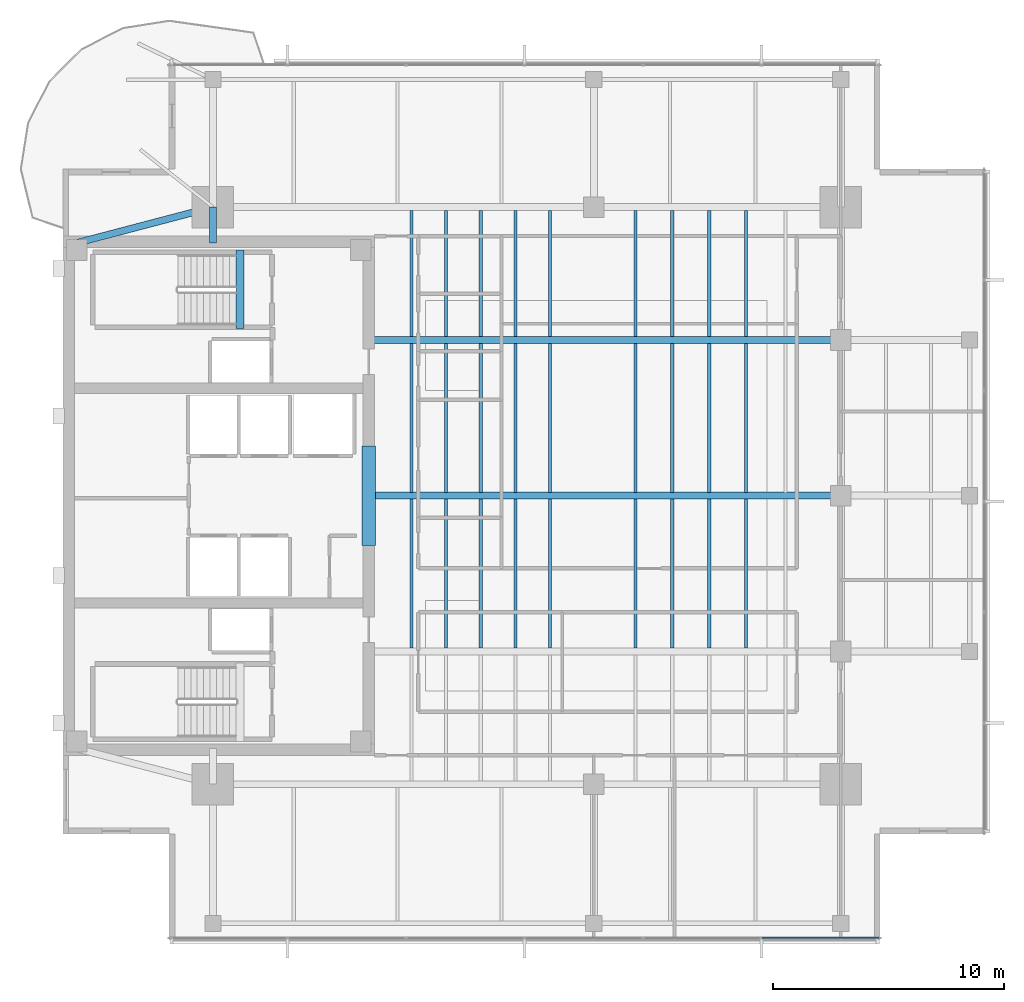
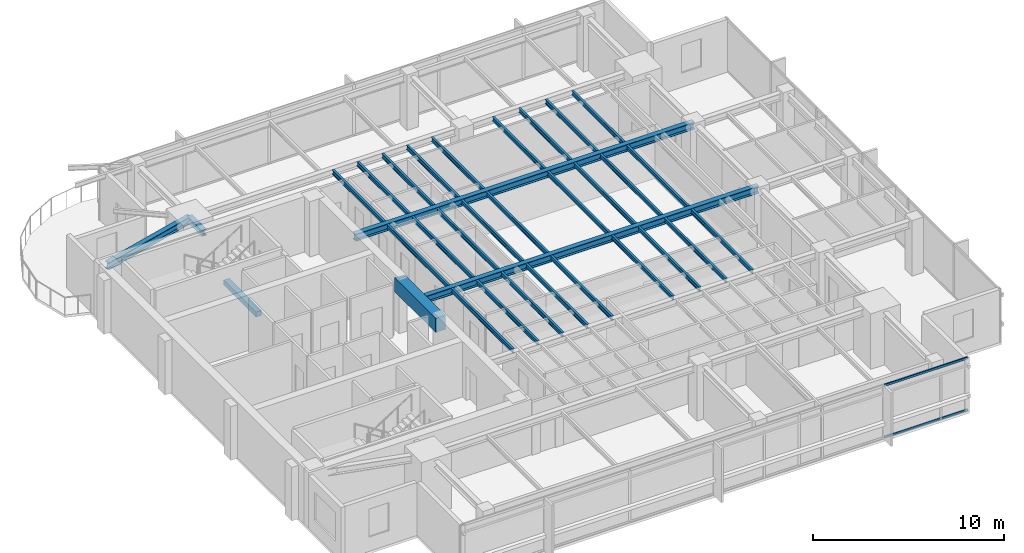
# One storey, part 3 of 14: 33 beams, 2 members, 1 element without a shape of its own.
"""IFC4 building model written with IfcOpenShell, lengths in metres."""

from ifc_helpers import new_model, si_unit, direction, frame, origin, origin_2d, place, context, subcontext, project, spatial, rectangle, i_section, extrude, material, layer, layer_set, material_profile, profile_set, type_object, element, aggregate, save


model = new_model("IFC4")

# Units and contexts
model_context = context("Model", 3, precision=1e-05, world=origin(), true_north=direction((0.0, 1.0)))
body_context = subcontext(model_context, "Body", "Model", "MODEL_VIEW")
ifc_project = project(units=[si_unit("LENGTHUNIT", "METRE"), si_unit("AREAUNIT", "SQUARE_METRE"), si_unit("VOLUMEUNIT", "CUBIC_METRE"), si_unit("PLANEANGLEUNIT", "RADIAN"), si_unit("MASSUNIT", "GRAM", prefix="KILO")], contexts=[model_context])

# Site, building, storey
site_placement = place(None, origin())
site = spatial("IfcSite", under=ifc_project, at=site_placement, CompositionType="ELEMENT")
building_placement = place(site_placement, origin())
building = spatial("IfcBuilding", under=site, at=building_placement, Name="Kinhvarn Gate Tower", CompositionType="ELEMENT")
storey_placement = place(building_placement, frame((0.0, 0.0, 274.10009765625)))
storey = spatial("IfcBuildingStorey", under=building, at=storey_placement, Name="L73", CompositionType="ELEMENT", Elevation=274.10009765625)

# Beams
ifc_material_1 = material(Name="Concrete C60/75", Category="concrete")
ifc_material_profile_1 = material_profile(ifc_material_1, rectangle(XDim=0.60009765625, YDim=0.89990234375, at=origin_2d()), Name="RC 600x900")
ifc_profile_set_1 = profile_set([ifc_material_profile_1], Name="Concrete C60/75")
beam_type_1 = type_object("IfcBeamType", Name="BM-CB-900", PredefinedType="LINTEL", material=ifc_profile_set_1)
beam_1_placement = place(storey_placement, frame((17.75, 23.10009765625, 2.93994140625), z_axis=(0.0, 1.0, 0.0), x_axis=(-1.0, 0.0, 0.0)))
element("IfcBeam", 1, at=beam_1_placement, inside=storey, type_object=beam_type_1, Name="Core East Portal Coupling Beam L73", PredefinedType="LINTEL", context=body_context, shape_type="SweptSolid", body=[
    extrude(rectangle(XDim=0.60009765625, YDim=0.89990234375, at=origin_2d()), origin(), (0.0, 0.0, 1.0), 4.2998046875),
])
ifc_material_2 = material(Name="Concrete C50/60", Category="concrete")
ifc_material_profile_2 = material_profile(ifc_material_2, rectangle(XDim=0.340087890625, YDim=0.320068359375, at=origin_2d()), Name="RC 340x320")
ifc_profile_set_2 = profile_set([ifc_material_profile_2], Name="Concrete C50/60")
beam_type_2 = type_object("IfcBeamType", Name="BM-LND-500", PredefinedType="BEAM", material=ifc_profile_set_2)
beam_2_placement = place(storey_placement, frame((12.1650390625, 32.5, -0.16015625), z_axis=(0.0, 1.0, 0.0), x_axis=(-1.0, 0.0, 0.0)))
element("IfcBeam", 2, at=beam_2_placement, inside=storey, type_object=beam_type_2, Name="Stair ST2 Landing Nosing Beam (L73)", PredefinedType="BEAM", context=body_context, shape_type="SweptSolid", body=[
    extrude(rectangle(XDim=0.340087890625, YDim=0.320068359375, at=origin_2d()), origin(), (0.0, 0.0, 1.0), 3.39990234375),
])

# Curtain wall, members
ifc_material_3 = material(Name="Anodised aluminium AW-6063", Category="aluminium")
ifc_layer = layer(ifc_material_3, 0.179931640625)
ifc_layer_set = layer_set([ifc_layer], Name="Anodised aluminium AW-6063")
curtain_wall_type = type_object("IfcCurtainWallType", Name="CW-SYS-3", PredefinedType="NOTDEFINED", material=ifc_layer_set)
curtain_wall_placement = place(storey_placement, origin())
curtain_wall = element("IfcCurtainWall", 3, at=curtain_wall_placement, inside=storey, type_object=curtain_wall_type, Name="Curtain Wall CW3 (L73)", PredefinedType="NOTDEFINED")
ifc_material_profile_3 = material_profile(ifc_material_3, rectangle(XDim=0.070068359375, YDim=0.139892578125, at=origin_2d()), Name="ALU 70x140")
ifc_profile_set_3 = profile_set([ifc_material_profile_3], Name="Anodised aluminium AW-6063")
member_type = type_object("IfcMemberType", Name="CW-TRN-140", PredefinedType="USERDEFINED", material=ifc_profile_set_3)
member_1_placement = place(storey_placement, frame((34.799072265625, 6.090087890625, 0.034912109375), z_axis=(1.0, 0.0, 0.0), x_axis=(0.0, 1.0, 0.0)))
member_1 = element("IfcMember", 4, at=member_1_placement, type_object=member_type, Name="CW3 transom 6.1", ObjectType="TRANSOM", PredefinedType="USERDEFINED", context=body_context, shape_type="SweptSolid", body=[
    extrude(rectangle(XDim=0.070068359375, YDim=0.139892578125, at=origin_2d()), origin(), (0.0, 0.0, 1.0), 5.035888671875),
])
member_2_placement = place(storey_placement, frame((34.799072265625, 6.090087890625, 3.35498046875), z_axis=(1.0, 0.0, 0.0), x_axis=(0.0, 1.0, 0.0)))
member_2 = element("IfcMember", 5, at=member_2_placement, type_object=member_type, Name="CW3 transom 6.2", ObjectType="TRANSOM", PredefinedType="USERDEFINED", context=body_context, shape_type="SweptSolid", body=[
    extrude(rectangle(XDim=0.070068359375, YDim=0.139892578125, at=origin_2d()), origin(), (0.0, 0.0, 1.0), 5.035888671875),
])
aggregate(curtain_wall, [member_1, member_2])

# Beams
ifc_material_4 = material(Name="Steel S355", Category="steel")
ifc_material_profile_4 = material_profile(ifc_material_4, i_section(OverallWidth=0.300048828125, OverallDepth=0.39990234375, WebThickness=0.013427734375, FlangeThickness=0.02392578125, at=origin_2d()), Name="HEB 400")
ifc_profile_set_4 = profile_set([ifc_material_profile_4], Name="Steel S355")
beam_type_3 = type_object("IfcBeamType", Name="STL-HEB400", PredefinedType="BEAM", material=ifc_profile_set_4)
beam_3_placement = place(storey_placement, frame((11.0, 36.199951171875, 3.18994140625), z_axis=(0.0, 1.0, 0.0), x_axis=(-1.0, 0.0, 0.0)))
element("IfcBeam", 6, at=beam_3_placement, inside=storey, type_object=beam_type_3, Name="Floor Beam PG-12 (L73 MCW-CN)", PredefinedType="BEAM", context=body_context, shape_type="SweptSolid", body=[
    extrude(i_section(OverallWidth=0.300048828125, OverallDepth=0.39990234375, WebThickness=0.013427734375, FlangeThickness=0.02392578125, at=origin_2d()), origin(), (0.0, 0.0, 1.0), 1.550048828125),
])
ifc_material_profile_5 = material_profile(ifc_material_4, i_section(OverallWidth=0.300048828125, OverallDepth=0.449951171875, WebThickness=0.013916015625, FlangeThickness=0.02587890625, at=origin_2d()), Name="HEB 450")
ifc_profile_set_5 = profile_set([ifc_material_profile_5], Name="Steel S355")
beam_type_4 = type_object("IfcBeamType", Name="STL-HEB450", PredefinedType="BEAM", material=ifc_profile_set_5)
beam_4_placement = place(storey_placement, frame((5.10009765625, 36.199951171875, 3.164794921875), z_axis=(0.967177623957, 0.254101246979, 0.0), x_axis=(-0.254101246979, 0.967177623957, 0.0)))
element("IfcBeam", 7, at=beam_4_placement, inside=storey, type_object=beam_type_4, Name="Floor Beam PG-13 (L73 MG-NW-DIAG)", PredefinedType="BEAM", context=body_context, shape_type="SweptSolid", body=[
    extrude(i_section(OverallWidth=0.300048828125, OverallDepth=0.449951171875, WebThickness=0.013916015625, FlangeThickness=0.02587890625, at=origin_2d()), origin(), (0.0, 0.0, 1.0), 6.10009765625),
])
beam_5_placement = place(storey_placement, frame((18.050048828125, 25.25, 3.164794921875), z_axis=(1.0, 0.0, 0.0), x_axis=(0.0, 1.0, 0.0)))
element("IfcBeam", 8, at=beam_5_placement, inside=storey, type_object=beam_type_4, Name="Floor Beam PG-13 (L73 EW1-Y25)", PredefinedType="BEAM", context=body_context, shape_type="SweptSolid", body=[
    extrude(i_section(OverallWidth=0.300048828125, OverallDepth=0.449951171875, WebThickness=0.013916015625, FlangeThickness=0.02587890625, at=origin_2d()), origin(), (0.0, 0.0, 1.0), 20.14990234375),
])
beam_6_placement = place(storey_placement, frame((17.64990234375, 32.0, 3.164794921875), z_axis=(1.0, 0.0, 0.0), x_axis=(0.0, 1.0, 0.0)))
element("IfcBeam", 9, at=beam_6_placement, inside=storey, type_object=beam_type_4, Name="Floor Beam PG-13 (L73 EW1-Y32)", PredefinedType="BEAM", context=body_context, shape_type="SweptSolid", body=[
    extrude(i_section(OverallWidth=0.300048828125, OverallDepth=0.449951171875, WebThickness=0.013916015625, FlangeThickness=0.02587890625, at=origin_2d()), origin(), (0.0, 0.0, 1.0), 20.550048828125),
])
ifc_material_profile_6 = material_profile(ifc_material_4, i_section(OverallWidth=0.135009765625, OverallDepth=0.27001953125, WebThickness=0.006591796875, FlangeThickness=0.01025390625, at=origin_2d()), Name="IPE 270")
ifc_profile_set_6 = profile_set([ifc_material_profile_6], Name="Steel S355")
beam_type_5 = type_object("IfcBeamType", Name="STL-IPE270", PredefinedType="JOIST", material=ifc_profile_set_6)
for number, where, z_axis, x_axis, name in (
    (10, (19.60009765625, 18.64990234375, 3.2548828125), (0.0, 1.0, 0.0), (-1.0, 0.0, 0.0), "Floor Joist SB-01 (L73 JC-X196-1)"),
    (11, (19.60009765625, 25.39990234375, 3.2548828125), (0.0, 1.0, 0.0), (-1.0, 0.0, 0.0), "Floor Joist SB-01 (L73 JC-X196-2)"),
):
    element("IfcBeam", number, at=place(storey_placement, frame(where, z_axis=z_axis, x_axis=x_axis)), inside=storey, type_object=beam_type_5, Name=name, PredefinedType="JOIST", context=body_context, shape_type="SweptSolid", body=[
        extrude(i_section(OverallWidth=0.135009765625, OverallDepth=0.27001953125, WebThickness=0.006591796875, FlangeThickness=0.01025390625, at=origin_2d()), origin(), (0.0, 0.0, 1.0), 6.4501953125),
    ])
beam_7_placement = place(storey_placement, frame((19.60009765625, 32.14990234375, 3.2548828125), z_axis=(0.0, 1.0, 0.0), x_axis=(-1.0, 0.0, 0.0)))
element("IfcBeam", 12, at=beam_7_placement, inside=storey, type_object=beam_type_5, Name="Floor Joist SB-01 (L73 JC-X196-3)", PredefinedType="JOIST", context=body_context, shape_type="SweptSolid", body=[
    extrude(i_section(OverallWidth=0.135009765625, OverallDepth=0.27001953125, WebThickness=0.006591796875, FlangeThickness=0.01025390625, at=origin_2d()), origin(), (0.0, 0.0, 1.0), 5.4501953125),
])
for number, where, z_axis, x_axis, name in (
    (13, (21.10009765625, 18.64990234375, 3.2548828125), (0.0, 1.0, 0.0), (-1.0, 0.0, 0.0), "Floor Joist SB-01 (L73 JC-X211-1)"),
    (14, (21.10009765625, 25.39990234375, 3.2548828125), (0.0, 1.0, 0.0), (-1.0, 0.0, 0.0), "Floor Joist SB-01 (L73 JC-X211-2)"),
):
    element("IfcBeam", number, at=place(storey_placement, frame(where, z_axis=z_axis, x_axis=x_axis)), inside=storey, type_object=beam_type_5, Name=name, PredefinedType="JOIST", context=body_context, shape_type="SweptSolid", body=[
        extrude(i_section(OverallWidth=0.135009765625, OverallDepth=0.27001953125, WebThickness=0.006591796875, FlangeThickness=0.01025390625, at=origin_2d()), origin(), (0.0, 0.0, 1.0), 6.4501953125),
    ])
beam_8_placement = place(storey_placement, frame((21.10009765625, 32.14990234375, 3.2548828125), z_axis=(0.0, 1.0, 0.0), x_axis=(-1.0, 0.0, 0.0)))
element("IfcBeam", 15, at=beam_8_placement, inside=storey, type_object=beam_type_5, Name="Floor Joist SB-01 (L73 JC-X211-3)", PredefinedType="JOIST", context=body_context, shape_type="SweptSolid", body=[
    extrude(i_section(OverallWidth=0.135009765625, OverallDepth=0.27001953125, WebThickness=0.006591796875, FlangeThickness=0.01025390625, at=origin_2d()), origin(), (0.0, 0.0, 1.0), 5.4501953125),
])
for number, where, z_axis, x_axis, name in (
    (16, (22.60009765625, 18.64990234375, 3.2548828125), (0.0, 1.0, 0.0), (-1.0, 0.0, 0.0), "Floor Joist SB-01 (L73 JC-X226-1)"),
    (17, (22.60009765625, 25.39990234375, 3.2548828125), (0.0, 1.0, 0.0), (-1.0, 0.0, 0.0), "Floor Joist SB-01 (L73 JC-X226-2)"),
):
    element("IfcBeam", number, at=place(storey_placement, frame(where, z_axis=z_axis, x_axis=x_axis)), inside=storey, type_object=beam_type_5, Name=name, PredefinedType="JOIST", context=body_context, shape_type="SweptSolid", body=[
        extrude(i_section(OverallWidth=0.135009765625, OverallDepth=0.27001953125, WebThickness=0.006591796875, FlangeThickness=0.01025390625, at=origin_2d()), origin(), (0.0, 0.0, 1.0), 6.4501953125),
    ])
beam_9_placement = place(storey_placement, frame((22.60009765625, 32.14990234375, 3.2548828125), z_axis=(0.0, 1.0, 0.0), x_axis=(-1.0, 0.0, 0.0)))
element("IfcBeam", 18, at=beam_9_placement, inside=storey, type_object=beam_type_5, Name="Floor Joist SB-01 (L73 JC-X226-3)", PredefinedType="JOIST", context=body_context, shape_type="SweptSolid", body=[
    extrude(i_section(OverallWidth=0.135009765625, OverallDepth=0.27001953125, WebThickness=0.006591796875, FlangeThickness=0.01025390625, at=origin_2d()), origin(), (0.0, 0.0, 1.0), 5.4501953125),
])
for number, where, z_axis, x_axis, name in (
    (19, (24.10009765625, 18.64990234375, 3.2548828125), (0.0, 1.0, 0.0), (-1.0, 0.0, 0.0), "Floor Joist SB-01 (L73 JC-X241-1)"),
    (20, (24.10009765625, 25.39990234375, 3.2548828125), (0.0, 1.0, 0.0), (-1.0, 0.0, 0.0), "Floor Joist SB-01 (L73 JC-X241-2)"),
):
    element("IfcBeam", number, at=place(storey_placement, frame(where, z_axis=z_axis, x_axis=x_axis)), inside=storey, type_object=beam_type_5, Name=name, PredefinedType="JOIST", context=body_context, shape_type="SweptSolid", body=[
        extrude(i_section(OverallWidth=0.135009765625, OverallDepth=0.27001953125, WebThickness=0.006591796875, FlangeThickness=0.01025390625, at=origin_2d()), origin(), (0.0, 0.0, 1.0), 6.4501953125),
    ])
beam_10_placement = place(storey_placement, frame((24.10009765625, 32.14990234375, 3.2548828125), z_axis=(0.0, 1.0, 0.0), x_axis=(-1.0, 0.0, 0.0)))
element("IfcBeam", 21, at=beam_10_placement, inside=storey, type_object=beam_type_5, Name="Floor Joist SB-01 (L73 JC-X241-3)", PredefinedType="JOIST", context=body_context, shape_type="SweptSolid", body=[
    extrude(i_section(OverallWidth=0.135009765625, OverallDepth=0.27001953125, WebThickness=0.006591796875, FlangeThickness=0.01025390625, at=origin_2d()), origin(), (0.0, 0.0, 1.0), 5.4501953125),
])
for number, where, z_axis, x_axis, name in (
    (22, (25.60009765625, 18.64990234375, 3.2548828125), (0.0, 1.0, 0.0), (-1.0, 0.0, 0.0), "Floor Joist SB-01 (L73 JC-X256-1)"),
    (23, (25.60009765625, 25.39990234375, 3.2548828125), (0.0, 1.0, 0.0), (-1.0, 0.0, 0.0), "Floor Joist SB-01 (L73 JC-X256-2)"),
):
    element("IfcBeam", number, at=place(storey_placement, frame(where, z_axis=z_axis, x_axis=x_axis)), inside=storey, type_object=beam_type_5, Name=name, PredefinedType="JOIST", context=body_context, shape_type="SweptSolid", body=[
        extrude(i_section(OverallWidth=0.135009765625, OverallDepth=0.27001953125, WebThickness=0.006591796875, FlangeThickness=0.01025390625, at=origin_2d()), origin(), (0.0, 0.0, 1.0), 6.4501953125),
    ])
beam_11_placement = place(storey_placement, frame((25.60009765625, 32.14990234375, 3.2548828125), z_axis=(0.0, 1.0, 0.0), x_axis=(-1.0, 0.0, 0.0)))
element("IfcBeam", 24, at=beam_11_placement, inside=storey, type_object=beam_type_5, Name="Floor Joist SB-01 (L73 JC-X256-3)", PredefinedType="JOIST", context=body_context, shape_type="SweptSolid", body=[
    extrude(i_section(OverallWidth=0.135009765625, OverallDepth=0.27001953125, WebThickness=0.006591796875, FlangeThickness=0.01025390625, at=origin_2d()), origin(), (0.0, 0.0, 1.0), 5.4501953125),
])
for number, where, z_axis, x_axis, name in (
    (25, (29.300048828125, 18.64990234375, 3.2548828125), (0.0, 1.0, 0.0), (-1.0, 0.0, 0.0), "Floor Joist SB-01 (L73 JC-X293-1)"),
    (26, (29.300048828125, 25.39990234375, 3.2548828125), (0.0, 1.0, 0.0), (-1.0, 0.0, 0.0), "Floor Joist SB-01 (L73 JC-X293-2)"),
):
    element("IfcBeam", number, at=place(storey_placement, frame(where, z_axis=z_axis, x_axis=x_axis)), inside=storey, type_object=beam_type_5, Name=name, PredefinedType="JOIST", context=body_context, shape_type="SweptSolid", body=[
        extrude(i_section(OverallWidth=0.135009765625, OverallDepth=0.27001953125, WebThickness=0.006591796875, FlangeThickness=0.01025390625, at=origin_2d()), origin(), (0.0, 0.0, 1.0), 6.4501953125),
    ])
beam_12_placement = place(storey_placement, frame((29.300048828125, 32.14990234375, 3.2548828125), z_axis=(0.0, 1.0, 0.0), x_axis=(-1.0, 0.0, 0.0)))
element("IfcBeam", 27, at=beam_12_placement, inside=storey, type_object=beam_type_5, Name="Floor Joist SB-01 (L73 JC-X293-3)", PredefinedType="JOIST", context=body_context, shape_type="SweptSolid", body=[
    extrude(i_section(OverallWidth=0.135009765625, OverallDepth=0.27001953125, WebThickness=0.006591796875, FlangeThickness=0.01025390625, at=origin_2d()), origin(), (0.0, 0.0, 1.0), 5.4501953125),
])
for number, where, z_axis, x_axis, name in (
    (28, (30.89990234375, 18.64990234375, 3.2548828125), (0.0, 1.0, 0.0), (-1.0, 0.0, 0.0), "Floor Joist SB-01 (L73 JC-X309-1)"),
    (29, (30.89990234375, 25.39990234375, 3.2548828125), (0.0, 1.0, 0.0), (-1.0, 0.0, 0.0), "Floor Joist SB-01 (L73 JC-X309-2)"),
):
    element("IfcBeam", number, at=place(storey_placement, frame(where, z_axis=z_axis, x_axis=x_axis)), inside=storey, type_object=beam_type_5, Name=name, PredefinedType="JOIST", context=body_context, shape_type="SweptSolid", body=[
        extrude(i_section(OverallWidth=0.135009765625, OverallDepth=0.27001953125, WebThickness=0.006591796875, FlangeThickness=0.01025390625, at=origin_2d()), origin(), (0.0, 0.0, 1.0), 6.4501953125),
    ])
beam_13_placement = place(storey_placement, frame((30.89990234375, 32.14990234375, 3.2548828125), z_axis=(0.0, 1.0, 0.0), x_axis=(-1.0, 0.0, 0.0)))
element("IfcBeam", 30, at=beam_13_placement, inside=storey, type_object=beam_type_5, Name="Floor Joist SB-01 (L73 JC-X309-3)", PredefinedType="JOIST", context=body_context, shape_type="SweptSolid", body=[
    extrude(i_section(OverallWidth=0.135009765625, OverallDepth=0.27001953125, WebThickness=0.006591796875, FlangeThickness=0.01025390625, at=origin_2d()), origin(), (0.0, 0.0, 1.0), 5.4501953125),
])
for number, where, z_axis, x_axis, name in (
    (31, (32.5, 18.64990234375, 3.2548828125), (0.0, 1.0, 0.0), (-1.0, 0.0, 0.0), "Floor Joist SB-01 (L73 JC-X325-1)"),
    (32, (32.5, 25.39990234375, 3.2548828125), (0.0, 1.0, 0.0), (-1.0, 0.0, 0.0), "Floor Joist SB-01 (L73 JC-X325-2)"),
):
    element("IfcBeam", number, at=place(storey_placement, frame(where, z_axis=z_axis, x_axis=x_axis)), inside=storey, type_object=beam_type_5, Name=name, PredefinedType="JOIST", context=body_context, shape_type="SweptSolid", body=[
        extrude(i_section(OverallWidth=0.135009765625, OverallDepth=0.27001953125, WebThickness=0.006591796875, FlangeThickness=0.01025390625, at=origin_2d()), origin(), (0.0, 0.0, 1.0), 6.4501953125),
    ])
beam_14_placement = place(storey_placement, frame((32.5, 32.14990234375, 3.2548828125), z_axis=(0.0, 1.0, 0.0), x_axis=(-1.0, 0.0, 0.0)))
element("IfcBeam", 33, at=beam_14_placement, inside=storey, type_object=beam_type_5, Name="Floor Joist SB-01 (L73 JC-X325-3)", PredefinedType="JOIST", context=body_context, shape_type="SweptSolid", body=[
    extrude(i_section(OverallWidth=0.135009765625, OverallDepth=0.27001953125, WebThickness=0.006591796875, FlangeThickness=0.01025390625, at=origin_2d()), origin(), (0.0, 0.0, 1.0), 5.4501953125),
])
for number, where, z_axis, x_axis, name in (
    (34, (34.10009765625, 18.64990234375, 3.2548828125), (0.0, 1.0, 0.0), (-1.0, 0.0, 0.0), "Floor Joist SB-01 (L73 JC-X341-1)"),
    (35, (34.10009765625, 25.39990234375, 3.2548828125), (0.0, 1.0, 0.0), (-1.0, 0.0, 0.0), "Floor Joist SB-01 (L73 JC-X341-2)"),
):
    element("IfcBeam", number, at=place(storey_placement, frame(where, z_axis=z_axis, x_axis=x_axis)), inside=storey, type_object=beam_type_5, Name=name, PredefinedType="JOIST", context=body_context, shape_type="SweptSolid", body=[
        extrude(i_section(OverallWidth=0.135009765625, OverallDepth=0.27001953125, WebThickness=0.006591796875, FlangeThickness=0.01025390625, at=origin_2d()), origin(), (0.0, 0.0, 1.0), 6.4501953125),
    ])
beam_15_placement = place(storey_placement, frame((34.10009765625, 32.14990234375, 3.2548828125), z_axis=(0.0, 1.0, 0.0), x_axis=(-1.0, 0.0, 0.0)))
element("IfcBeam", 36, at=beam_15_placement, inside=storey, type_object=beam_type_5, Name="Floor Joist SB-01 (L73 JC-X341-3)", PredefinedType="JOIST", context=body_context, shape_type="SweptSolid", body=[
    extrude(i_section(OverallWidth=0.135009765625, OverallDepth=0.27001953125, WebThickness=0.006591796875, FlangeThickness=0.01025390625, at=origin_2d()), origin(), (0.0, 0.0, 1.0), 5.4501953125),
])

save(model, "model.ifc")
